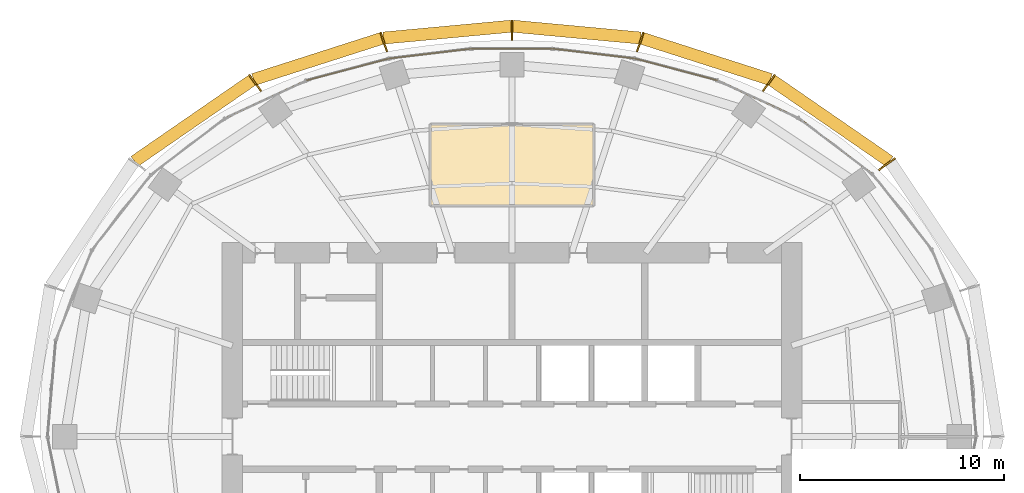
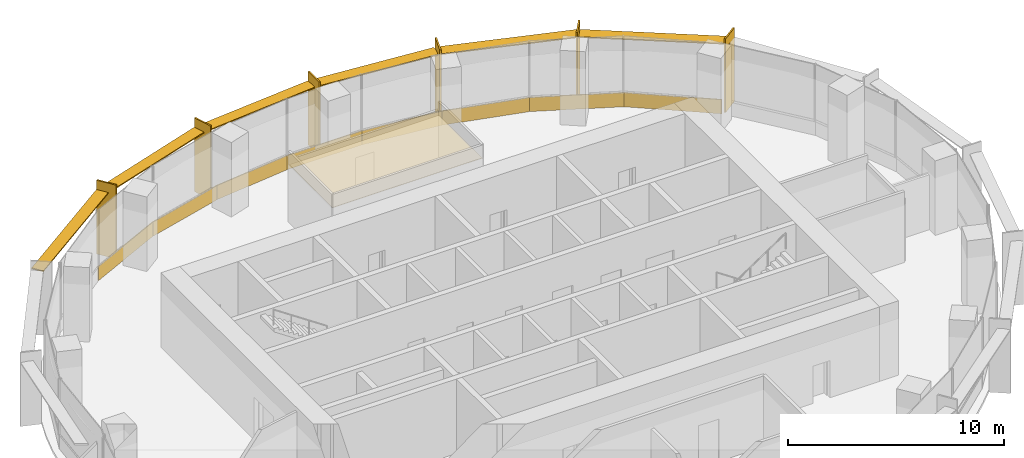
# One storey, part 13 of 13: 12 shading devices, 9 coverings.
"""IFC4 building model written with IfcOpenShell, lengths in metres."""

from ifc_helpers import new_model, si_unit, direction, frame, origin, origin_2d, place, context, subcontext, project, spatial, polyline, rectangle, outline, extrude, material, layer, layer_set, type_object, element, save


model = new_model("IFC4")

# Units and contexts
model_context = context("Model", 3, precision=1e-05, world=origin(), true_north=direction((0.0, 1.0)))
body_context = subcontext(model_context, "Body", "Model", "MODEL_VIEW")
ifc_project = project(units=[si_unit("LENGTHUNIT", "METRE"), si_unit("AREAUNIT", "SQUARE_METRE"), si_unit("VOLUMEUNIT", "CUBIC_METRE"), si_unit("PLANEANGLEUNIT", "RADIAN"), si_unit("MASSUNIT", "GRAM", prefix="KILO")], contexts=[model_context])

# Site, building, storey
site_placement = place(None, origin())
site = spatial("IfcSite", under=ifc_project, at=site_placement, CompositionType="ELEMENT")
building_placement = place(site_placement, origin())
building = spatial("IfcBuilding", under=site, at=building_placement, Name="Marramba Exchange Tower", CompositionType="ELEMENT")
storey_placement = place(building_placement, frame((0.0, 0.0, 272.800048828125)))
storey = spatial("IfcBuildingStorey", under=building, at=storey_placement, Name="L66", CompositionType="ELEMENT", Elevation=272.800048828125)

# Shading devices
ifc_material_1 = material(Name="Aluminium blade, timber-look bronze finish", Category="wood")
ifc_layer_1 = layer(ifc_material_1, 0.080078125)
ifc_layer_set_1 = layer_set([ifc_layer_1], Name="Floor-edge blade 1000x80")
shading_device_type_1 = type_object("IfcShadingDeviceType", Name="Floor-edge blade 1000x80", PredefinedType="USERDEFINED", material=ifc_layer_set_1)
for number, where, z_axis, x_axis, name in (
    (1, (18.361083984375, 13.340087890625, -0.16015625), (0.0, 0.0, 1.0), (0.809016994375, 0.587785252292, 0.0), "Floor-edge blade FB1 L66 TC03"),
    (2, (12.58056640625, 17.315673828125, -0.16015625), (0.0, 0.0, 1.0), (0.587785252292, 0.809016994375, 0.0), "Floor-edge blade FB1 L66 TC04"),
    (3, (6.279296875, 19.325439453125, -0.16015625), (0.0, 0.0, 1.0), (0.309016994375, 0.951056516295, 0.0), "Floor-edge blade FB1 L66 TC05"),
    (4, (0.0, 19.904052734375, -0.16015625), (0.0, 0.0, 1.0), (0.0, 1.0, 0.0), "Floor-edge blade FB1 L66 TC06"),
    (5, (-6.279296875, 19.325439453125, -0.16015625), (0.0, 0.0, 1.0), (-0.309016994375, 0.951056516295, 0.0), "Floor-edge blade FB1 L66 TC07"),
    (6, (-12.58056640625, 17.315673828125, -0.16015625), (0.0, 0.0, 1.0), (-0.587785252292, 0.809016994375, 0.0), "Floor-edge blade FB1 L66 TC08"),
):
    element("IfcShadingDevice", number, at=place(storey_placement, frame(where, z_axis=z_axis, x_axis=x_axis)), inside=storey, type_object=shading_device_type_1, Name=name, ObjectType="FIN", PredefinedType="USERDEFINED", context=body_context, shape_type="SweptSolid", body=[
        extrude(rectangle(XDim=1.0, YDim=0.080078125, at=origin_2d()), origin(), (0.0, 0.0, 1.0), 4.159912109375),
    ])
ifc_material_2 = material(Name="Aluminium sunshade, bronze anodised", Category="aluminium")
ifc_layer_2 = layer(ifc_material_2, 0.06005859375)
ifc_layer_set_2 = layer_set([ifc_layer_2], Name="SUNSHADE blade 600x60")
shading_device_type_2 = type_object("IfcShadingDeviceType", Name="SUNSHADE blade 600x60", PredefinedType="USERDEFINED", material=ifc_layer_set_2)
shading_device_1_placement = place(storey_placement, frame((15.610595703125, 15.467529296875, 3.419921875), z_axis=(0.0, 0.0, 1.0), x_axis=(-0.823024460267, 0.568005931134, 0.0)))
element("IfcShadingDevice", 7, at=shading_device_1_placement, inside=storey, type_object=shading_device_type_2, Name="Sunshade SS1 L66 bay 03", ObjectType="SUNSHADE", PredefinedType="USERDEFINED", context=body_context, shape_type="SweptSolid", body=[
    extrude(rectangle(XDim=6.9970703125, YDim=0.60009765625, at=origin_2d()), origin(), (0.0, 0.0, 1.0), 0.06005859375),
])
shading_device_2_placement = place(storey_placement, frame((9.51953125, 18.49658203125, 3.419921875), z_axis=(0.0, 0.0, 1.0), x_axis=(-0.952259596472, 0.30528947071, 0.0)))
element("IfcShadingDevice", 8, at=shading_device_2_placement, inside=storey, type_object=shading_device_type_2, Name="Sunshade SS1 L66 bay 04", ObjectType="SUNSHADE", PredefinedType="USERDEFINED", context=body_context, shape_type="SweptSolid", body=[
    extrude(rectangle(XDim=6.595947265625, YDim=0.60009765625, at=origin_2d()), origin(), (0.0, 0.0, 1.0), 0.06005859375),
])
for number, where, z_axis, x_axis, name in (
    (9, (3.17041015625, 19.809814453125, 3.419921875), (0.0, 0.0, 1.0), (-0.995722269911, 0.092396759698, 0.0), "Sunshade SS1 L66 bay 05"),
    (10, (-3.17041015625, 19.809814453125, 3.419921875), (0.0, 0.0, 1.0), (-0.995722269911, -0.092396759698, 0.0), "Sunshade SS1 L66 bay 06"),
):
    element("IfcShadingDevice", number, at=place(storey_placement, frame(where, z_axis=z_axis, x_axis=x_axis)), inside=storey, type_object=shading_device_type_2, Name=name, ObjectType="SUNSHADE", PredefinedType="USERDEFINED", context=body_context, shape_type="SweptSolid", body=[
        extrude(rectangle(XDim=6.288330078125, YDim=0.60009765625, at=origin_2d()), origin(), (0.0, 0.0, 1.0), 0.06005859375),
    ])
shading_device_3_placement = place(storey_placement, frame((-9.51953125, 18.49658203125, 3.419921875), z_axis=(0.0, 0.0, 1.0), x_axis=(-0.952259596472, -0.30528947071, 0.0)))
element("IfcShadingDevice", 11, at=shading_device_3_placement, inside=storey, type_object=shading_device_type_2, Name="Sunshade SS1 L66 bay 07", ObjectType="SUNSHADE", PredefinedType="USERDEFINED", context=body_context, shape_type="SweptSolid", body=[
    extrude(rectangle(XDim=6.595947265625, YDim=0.60009765625, at=origin_2d()), origin(), (0.0, 0.0, 1.0), 0.06005859375),
])
shading_device_4_placement = place(storey_placement, frame((-15.610595703125, 15.467529296875, 3.419921875), z_axis=(0.0, 0.0, 1.0), x_axis=(-0.823024460267, -0.568005931134, 0.0)))
element("IfcShadingDevice", 12, at=shading_device_4_placement, inside=storey, type_object=shading_device_type_2, Name="Sunshade SS1 L66 bay 08", ObjectType="SUNSHADE", PredefinedType="USERDEFINED", context=body_context, shape_type="SweptSolid", body=[
    extrude(rectangle(XDim=6.9970703125, YDim=0.60009765625, at=origin_2d()), origin(), (0.0, 0.0, 1.0), 0.06005859375),
])

# Coverings
ifc_material_3 = material(Name="Aluminium spandrel panel, bronze anodised, insulated", Category="aluminium")
ifc_layer_3 = layer(ifc_material_3, 0.050048828125)
ifc_layer_set_3 = layer_set([ifc_layer_3], Name="Spandrel panel 800")
covering_type_1 = type_object("IfcCoveringType", Name="Spandrel panel 800", PredefinedType="CLADDING", material=ifc_layer_set_3)
covering_1_placement = place(storey_placement, frame((15.859375, 14.2197265625, 0.0), z_axis=(0.0, 0.0, 1.0), x_axis=(-0.796058898731, 0.605219158447, 0.0)))
element("IfcCovering", 13, at=covering_1_placement, inside=storey, type_object=covering_type_1, Name="Spandrel panel SP1 L66 F04", PredefinedType="CLADDING", context=body_context, shape_type="SweptSolid", body=[
    extrude(rectangle(XDim=4.5576171875, YDim=0.050048828125, at=origin_2d()), origin(), (0.0, 0.0, 1.0), 0.800048828125),
])
covering_2_placement = place(storey_placement, frame((12.057861328125, 16.520751953125, 0.0), z_axis=(0.0, 0.0, 1.0), x_axis=(-0.907130582029, 0.420849268918, 0.0)))
element("IfcCovering", 14, at=covering_2_placement, inside=storey, type_object=covering_type_1, Name="Spandrel panel SP1 L66 F05", PredefinedType="CLADDING", context=body_context, shape_type="SweptSolid", body=[
    extrude(rectangle(XDim=4.381591796875, YDim=0.050048828125, at=origin_2d()), origin(), (0.0, 0.0, 1.0), 0.800048828125),
])
covering_3_placement = place(storey_placement, frame((8.04345703125, 17.97998046875, 0.0), z_axis=(0.0, 0.0, 1.0), x_axis=(-0.966643517403, 0.256125575184, 0.0)))
element("IfcCovering", 15, at=covering_3_placement, inside=storey, type_object=covering_type_1, Name="Spandrel panel SP1 L66 F06", PredefinedType="CLADDING", context=body_context, shape_type="SweptSolid", body=[
    extrude(rectangle(XDim=4.194091796875, YDim=0.050048828125, at=origin_2d()), origin(), (0.0, 0.0, 1.0), 0.800048828125),
])
covering_4_placement = place(storey_placement, frame((4.006591796875, 18.757080078125, 0.0), z_axis=(0.0, 0.0, 1.0), x_axis=(-0.992947252913, 0.118556960709, 0.0)))
element("IfcCovering", 16, at=covering_4_placement, inside=storey, type_object=covering_type_1, Name="Spandrel panel SP1 L66 F07", PredefinedType="CLADDING", context=body_context, shape_type="SweptSolid", body=[
    extrude(rectangle(XDim=4.04833984375, YDim=0.050048828125, at=origin_2d()), origin(), (0.0, 0.0, 1.0), 0.800048828125),
])
covering_5_placement = place(storey_placement, frame((0.0, 18.9970703125, 0.0), z_axis=(0.0, 0.0, 1.0), x_axis=(-1.0, 0.0, 0.0)))
element("IfcCovering", 17, at=covering_5_placement, inside=storey, type_object=covering_type_1, Name="Spandrel panel SP1 L66 F08", PredefinedType="CLADDING", context=body_context, shape_type="SweptSolid", body=[
    extrude(rectangle(XDim=3.993408203125, YDim=0.050048828125, at=origin_2d()), origin(), (0.0, 0.0, 1.0), 0.800048828125),
])
covering_6_placement = place(storey_placement, frame((-4.006591796875, 18.757080078125, 0.0), z_axis=(0.0, 0.0, 1.0), x_axis=(-0.992947252913, -0.118556960709, 0.0)))
element("IfcCovering", 18, at=covering_6_placement, inside=storey, type_object=covering_type_1, Name="Spandrel panel SP1 L66 F09", PredefinedType="CLADDING", context=body_context, shape_type="SweptSolid", body=[
    extrude(rectangle(XDim=4.04833984375, YDim=0.050048828125, at=origin_2d()), origin(), (0.0, 0.0, 1.0), 0.800048828125),
])
covering_7_placement = place(storey_placement, frame((-8.04345703125, 17.97998046875, 0.0), z_axis=(0.0, 0.0, 1.0), x_axis=(-0.966643517403, -0.256125575184, 0.0)))
element("IfcCovering", 19, at=covering_7_placement, inside=storey, type_object=covering_type_1, Name="Spandrel panel SP1 L66 F10", PredefinedType="CLADDING", context=body_context, shape_type="SweptSolid", body=[
    extrude(rectangle(XDim=4.194091796875, YDim=0.050048828125, at=origin_2d()), origin(), (0.0, 0.0, 1.0), 0.800048828125),
])
covering_8_placement = place(storey_placement, frame((-12.057861328125, 16.520751953125, 0.0), z_axis=(0.0, 0.0, 1.0), x_axis=(-0.907130582029, -0.420849268918, 0.0)))
element("IfcCovering", 20, at=covering_8_placement, inside=storey, type_object=covering_type_1, Name="Spandrel panel SP1 L66 F11", PredefinedType="CLADDING", context=body_context, shape_type="SweptSolid", body=[
    extrude(rectangle(XDim=4.381591796875, YDim=0.050048828125, at=origin_2d()), origin(), (0.0, 0.0, 1.0), 0.800048828125),
])
ifc_material_4 = material(Name="Mineral fibre ceiling tiles", Category="gypsum")
ifc_layer_4 = layer(ifc_material_4, 0.02001953125)
ifc_layer_set_4 = layer_set([ifc_layer_4], Name="Suspended ceiling 20")
covering_type_2 = type_object("IfcCoveringType", Name="Suspended ceiling 20", PredefinedType="CEILING", material=ifc_layer_set_4)
covering_9_placement = place(storey_placement, frame((0.0, 0.0, 3.199951171875)))
element("IfcCovering", 21, at=covering_9_placement, inside=storey, type_object=covering_type_2, Name="Ceiling CL1 L66 Pantry", PredefinedType="CEILING", context=body_context, shape_type="SweptSolid", body=[
    extrude(outline(polyline([(4.0, 11.300048828125), (-4.0, 11.300048828125), (-4.0, 15.300048828125), (4.0, 15.300048828125), (4.0, 11.300048828125)])), origin(), (0.0, 0.0, 1.0), 0.02001953125),
])

save(model, "model.ifc")
